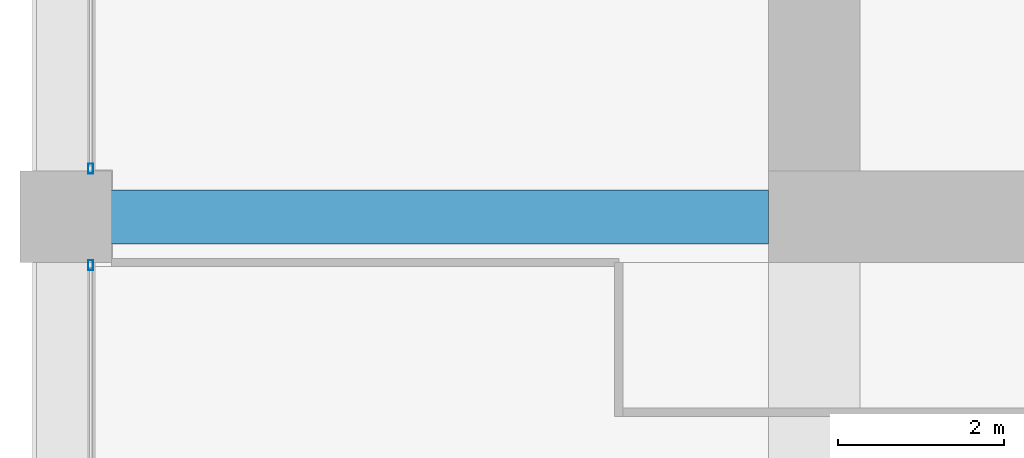
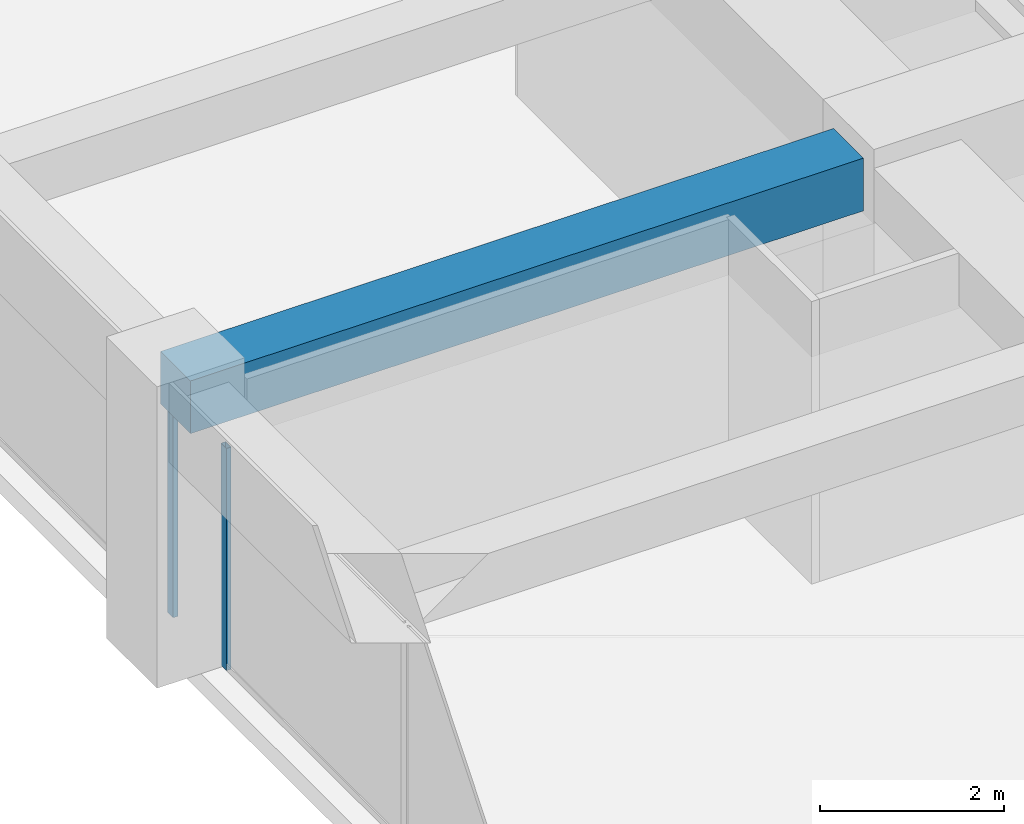
# One storey, part 13 of 44: 2 members, 1 beam, 2 elements without a shape of their own.
"""IFC4 building model written with IfcOpenShell, lengths in metres."""

import ifcopenshell
import ifcopenshell.guid

model = None  # the IFC model being written
_history = None  # IfcOwnerHistory: only IFC2X3 demands one
_inside = {}  # id of a spatial element -> (the spatial element, [elements in it])
_under = {}  # id of a project, library or spatial element -> (it, [spatial elements below it])
_declared = {}  # id of a project -> (the project, [libraries it declares])
_typed = {}  # id of a type object -> (the type object, [elements of that type])
_made_of = {}  # id of a material, layer set ... -> (it, [elements and type objects made of it])


def new_model(schema):
    """Start an empty IFC model of exactly this schema.

    Asked for "IFC4X3", IfcOpenShell would pick the latest addendum, in which some entities
    have other attributes; the version numbers below select the first issue.
    IFC2X3 requires an IfcOwnerHistory on every rooted entity: one is made here for all.
    """
    global model, _history
    if schema == "IFC4X3":
        model = ifcopenshell.file(schema_version=(4, 3, 0, 0))
    else:
        model = ifcopenshell.file(schema=schema)
    _inside.clear()
    _under.clear()
    _declared.clear()
    _typed.clear()
    _made_of.clear()
    _history = None
    if model.schema == "IFC2X3":
        org = make("IfcOrganization", Name="unknown")
        user = make(
            "IfcPersonAndOrganization",
            ThePerson=make("IfcPerson", FamilyName="unknown"),
            TheOrganization=org,
        )
        app = make(
            "IfcApplication",
            ApplicationDeveloper=org,
            Version="unknown",
            ApplicationFullName="unknown",
            ApplicationIdentifier="unknown",
        )
        _history = make(
            "IfcOwnerHistory",
            OwningUser=user,
            OwningApplication=app,
            ChangeAction="ADDED",
            CreationDate=0,
        )
    return model


def make(cls, **values):
    """One entity of the class cls with the attributes given. An attribute that is None is left unset."""
    return model.create_entity(
        cls, **{name: value for name, value in values.items() if value is not None}
    )


def rooted(cls, **values):
    """An entity with a GlobalId (a new one), such as an element, a storey or a relation."""
    return make(cls, GlobalId=ifcopenshell.guid.new(), OwnerHistory=_history, **values)


def si_unit(unit_type, name, prefix=None):
    """IfcSIUnit, for example si_unit("LENGTHUNIT", "METRE", prefix="MILLI")."""
    return make("IfcSIUnit", UnitType=unit_type, Prefix=prefix, Name=name)


def assignment(units):
    """IfcUnitAssignment: the units of a project."""
    return None if units is None else make("IfcUnitAssignment", Units=units)


def point(xyz):
    """IfcCartesianPoint."""
    return None if xyz is None else make("IfcCartesianPoint", Coordinates=xyz)


def direction(xyz):
    """IfcDirection."""
    return None if xyz is None else make("IfcDirection", DirectionRatios=xyz)


def frame(location, z_axis=None, x_axis=None):
    """IfcAxis2Placement3D, a coordinate frame: its origin and axes. An axis left out is left unset."""
    return make(
        "IfcAxis2Placement3D",
        Location=point(location),
        Axis=direction(z_axis),
        RefDirection=direction(x_axis),
    )


def frame_2d(location, x_axis=None):
    """IfcAxis2Placement2D, a coordinate frame in the plane: its origin and x axis."""
    return make(
        "IfcAxis2Placement2D", Location=point(location), RefDirection=direction(x_axis)
    )


def origin():
    """The frame at (0, 0, 0) with its axes left unset."""
    return frame((0.0, 0.0, 0.0))


def origin_2d():
    """The frame at (0, 0) in the plane with its x axis left unset."""
    return frame_2d((0.0, 0.0))


def place(relative_to, where):
    """IfcLocalPlacement: puts the frame where relative to a parent placement (None: the world)."""
    return make(
        "IfcLocalPlacement", PlacementRelTo=relative_to, RelativePlacement=where
    )


def context(
    kind, dimensions, precision=None, world=None, true_north=None, identifier=None
):
    """IfcGeometricRepresentationContext, for example the 3D "Model" context."""
    return make(
        "IfcGeometricRepresentationContext",
        ContextIdentifier=identifier,
        ContextType=kind,
        CoordinateSpaceDimension=dimensions,
        Precision=precision,
        WorldCoordinateSystem=world,
        TrueNorth=true_north,
    )


def subcontext(parent, identifier, kind, view, scale=None):
    """IfcGeometricRepresentationSubContext, for example "Body" below "Model"."""
    return make(
        "IfcGeometricRepresentationSubContext",
        ContextIdentifier=identifier,
        ContextType=kind,
        ParentContext=parent,
        TargetScale=scale,
        TargetView=view,
    )


def project(units=None, contexts=None):
    """IfcProject with its units and contexts."""
    return rooted(
        "IfcProject",
        Name="project",
        RepresentationContexts=contexts,
        UnitsInContext=assignment(units),
    )


def spatial(cls, under=None, at=None, **own):
    """A site, building, storey or space (cls), placed at a placement, below another one or the project."""
    s = rooted(cls, ObjectPlacement=at, **own)
    if under is not None:
        _under.setdefault(under.id(), (under, []))[1].append(s)
    return s


def profile(cls, at=None, kind="AREA", **sizes):
    """A parametric profile (cls). Its sizes go by their IFC names, for example OverallWidth=200.0."""
    return make(cls, ProfileType=kind, Position=at, **sizes)


def rectangle(**sizes):
    """IfcRectangleProfileDef."""
    return profile("IfcRectangleProfileDef", **sizes)


def hollow_rectangle(**sizes):
    """IfcRectangleHollowProfileDef."""
    return profile("IfcRectangleHollowProfileDef", **sizes)


def extrude(swept, where, along, depth):
    """IfcExtrudedAreaSolid: the profile swept, set in the frame where, extruded along a direction by depth."""
    return make(
        "IfcExtrudedAreaSolid",
        SweptArea=swept,
        Position=where,
        ExtrudedDirection=direction(along),
        Depth=depth,
    )


def shape(context_of_items, identifier, shape_type, items):
    """IfcShapeRepresentation: the items that make up one representation, for example the "Body"."""
    return make(
        "IfcShapeRepresentation",
        ContextOfItems=context_of_items,
        RepresentationIdentifier=identifier,
        RepresentationType=shape_type,
        Items=items,
    )


def material(Name=None, Category=None):
    """IfcMaterial."""
    return make("IfcMaterial", Name=Name, Category=Category)


def material_profile(
    of_material, cross_section, Name=None, Category=None, Priority=None
):
    """IfcMaterialProfile: a cross section and its material."""
    return make(
        "IfcMaterialProfile",
        Name=Name,
        Material=of_material,
        Profile=cross_section,
        Priority=Priority,
        Category=Category,
    )


def profile_set(profiles, Name=None, composite=None):
    """IfcMaterialProfileSet."""
    return make(
        "IfcMaterialProfileSet",
        Name=Name,
        MaterialProfiles=profiles,
        CompositeProfile=composite,
    )


def made_of(thing, what):
    """Note that an element or type object is made of a material, layer set ...; save() writes the relation."""
    if what is not None:
        _made_of.setdefault(what.id(), (what, []))[1].append(thing)
    return thing


def type_object(cls, material=None, **own):
    """A type object (cls), such as IfcWallType, which elements share."""
    return made_of(rooted(cls, **own), material)


def element(
    cls,
    number,
    at=None,
    inside=None,
    cuts=None,
    type_object=None,
    material=None,
    context=None,
    identifier="Body",
    shape_type=None,
    held_by="IfcProductDefinitionShape",
    body=None,
    shapes=None,
    **own,
):
    """One element of the class cls, such as IfcWall. Its Tag is "e" and its number.

    at: its placement. inside: the storey or other place that contains it. cuts: it is an
    opening in that element (IfcRelVoidsElement). A single representation is given by context,
    identifier, shape_type and body (its items); several are given by shapes. held_by: the class
    of the entity that holds the representations. save() writes the other relations.
    """
    e = rooted(cls, Tag="e%d" % number, ObjectPlacement=at, **own)
    if body is not None:
        shapes = [shape(context, identifier, shape_type, body)]
    if shapes is not None:
        e.Representation = make(held_by, Representations=shapes)
    if inside is not None:
        _inside.setdefault(inside.id(), (inside, []))[1].append(e)
    if cuts is not None:
        rooted(
            "IfcRelVoidsElement", RelatingBuildingElement=cuts, RelatedOpeningElement=e
        )
    if type_object is not None:
        _typed.setdefault(type_object.id(), (type_object, []))[1].append(e)
    return made_of(e, material)


def aggregate(whole, parts):
    """IfcRelAggregates: a whole, such as a stair, and the parts it consists of."""
    return rooted("IfcRelAggregates", RelatingObject=whole, RelatedObjects=parts)


def save(model, path):
    """Write the relations noted so far, then the file.

    IfcRelAggregates (storeys below a building ...), IfcRelContainedInSpatialStructure (elements
    in a storey), IfcRelDefinesByType, IfcRelAssociatesMaterial and IfcRelDeclares: one each for
    every whole, place, type object, material and project.
    """
    for whole, parts in _under.values():
        aggregate(whole, parts)
    for where, things in _inside.values():
        rooted(
            "IfcRelContainedInSpatialStructure",
            RelatedElements=things,
            RelatingStructure=where,
        )
    for kind, things in _typed.values():
        rooted("IfcRelDefinesByType", RelatedObjects=things, RelatingType=kind)
    for what, things in _made_of.values():
        rooted("IfcRelAssociatesMaterial", RelatedObjects=things, RelatingMaterial=what)
    for by, libraries in _declared.values():
        rooted("IfcRelDeclares", RelatingContext=by, RelatedDefinitions=libraries)
    model.write(path)


model = new_model("IFC4")

# Units and contexts
model_context = context("Model", 3, precision=1e-05, world=origin(), true_north=direction((0.0, 1.0)))
body_context = subcontext(model_context, "Body", "Model", "MODEL_VIEW")
ifc_project = project(units=[si_unit("LENGTHUNIT", "METRE"), si_unit("AREAUNIT", "SQUARE_METRE"), si_unit("VOLUMEUNIT", "CUBIC_METRE"), si_unit("PLANEANGLEUNIT", "RADIAN"), si_unit("MASSUNIT", "GRAM", prefix="KILO")], contexts=[model_context])

# Site, building, storey
site_placement = place(None, origin())
site = spatial("IfcSite", under=ifc_project, at=site_placement, CompositionType="ELEMENT")
building_placement = place(site_placement, origin())
building = spatial("IfcBuilding", under=site, at=building_placement, Name="Zorevar Civic Tower", CompositionType="ELEMENT")
storey_placement = place(building_placement, frame((0.0, 0.0, 299.39990234375)))
storey = spatial("IfcBuildingStorey", under=building, at=storey_placement, Name="L73", CompositionType="ELEMENT", Elevation=299.39990234375)

# Beam
ifc_material_1 = material(Name="Concrete C50/60", Category="concrete")
ifc_material_profile_1 = material_profile(ifc_material_1, rectangle(XDim=0.64990234375, YDim=0.699951171875, at=origin_2d()), Name="RC 650x700")
ifc_profile_set_1 = profile_set([ifc_material_profile_1], Name="Concrete C50/60")
beam_type = type_object("IfcBeamType", Name="Beam RC 650x700", PredefinedType="BEAM", material=ifc_profile_set_1)
beam_placement = place(storey_placement, frame((9.0, 18.0, 3.400146484375), z_axis=(1.0, 0.0, 0.0), x_axis=(0.0, 1.0, 0.0)))
element("IfcBeam", 1, at=beam_placement, inside=storey, type_object=beam_type, Name="Girder L74", PredefinedType="BEAM", context=body_context, shape_type="SweptSolid", body=[
    extrude(rectangle(XDim=0.64990234375, YDim=0.699951171875, at=origin_2d()), origin(), (0.0, 0.0, 1.0), 8.449951171875),
])

# Curtain wall, member
ifc_material_2 = material(Name="Dark grey solar-control glass in black aluminium frame", Category="aluminium")
curtain_wall_type = type_object("IfcCurtainWallType", Name="Curtain wall CW5 top zone", PredefinedType="NOTDEFINED", material=ifc_material_2)
curtain_wall_1_placement = place(storey_placement, origin())
curtain_wall_1 = element("IfcCurtainWall", 2, at=curtain_wall_1_placement, inside=storey, type_object=curtain_wall_type, Name="CW5 L73", PredefinedType="NOTDEFINED")
ifc_material_3 = material(Name="Aluminium, black anodised", Category="aluminium")
ifc_material_profile_2 = material_profile(ifc_material_3, hollow_rectangle(XDim=0.06005859375, YDim=0.1201171875, WallThickness=0.0029296875, at=origin_2d()), Name="AL 120x60x3")
ifc_profile_set_2 = profile_set([ifc_material_profile_2], Name="Aluminium, black anodised")
member_type = type_object("IfcMemberType", Name="CW5 mullion AL 120x60x3", PredefinedType="MULLION", material=ifc_profile_set_2)
member_1_placement = place(storey_placement, frame((9.300048828125, 17.419921875, 0.0), z_axis=(0.0, 0.0, 1.0), x_axis=(-1.0, 0.0, 0.0)))
member_1 = element("IfcMember", 3, at=member_1_placement, type_object=member_type, Name="CW5 mullion 3", PredefinedType="MULLION", context=body_context, shape_type="SweptSolid", body=[
    extrude(hollow_rectangle(XDim=0.06005859375, YDim=0.1201171875, WallThickness=0.0029296875, at=origin_2d()), origin(), (0.0, 0.0, 1.0), 2.9501953125),
])
aggregate(curtain_wall_1, [member_1])

curtain_wall_2_placement = place(storey_placement, origin())
curtain_wall_2 = element("IfcCurtainWall", 4, at=curtain_wall_2_placement, inside=storey, type_object=curtain_wall_type, Name="CW5 L73", PredefinedType="NOTDEFINED")
member_2_placement = place(storey_placement, frame((9.300048828125, 18.580078125, 0.0), z_axis=(0.0, 0.0, 1.0), x_axis=(-1.0, 0.0, 0.0)))
member_2 = element("IfcMember", 5, at=member_2_placement, type_object=member_type, Name="CW5 mullion 1", PredefinedType="MULLION", context=body_context, shape_type="SweptSolid", body=[
    extrude(hollow_rectangle(XDim=0.06005859375, YDim=0.1201171875, WallThickness=0.0029296875, at=origin_2d()), origin(), (0.0, 0.0, 1.0), 2.9501953125),
])
aggregate(curtain_wall_2, [member_2])

save(model, "model.ifc")
